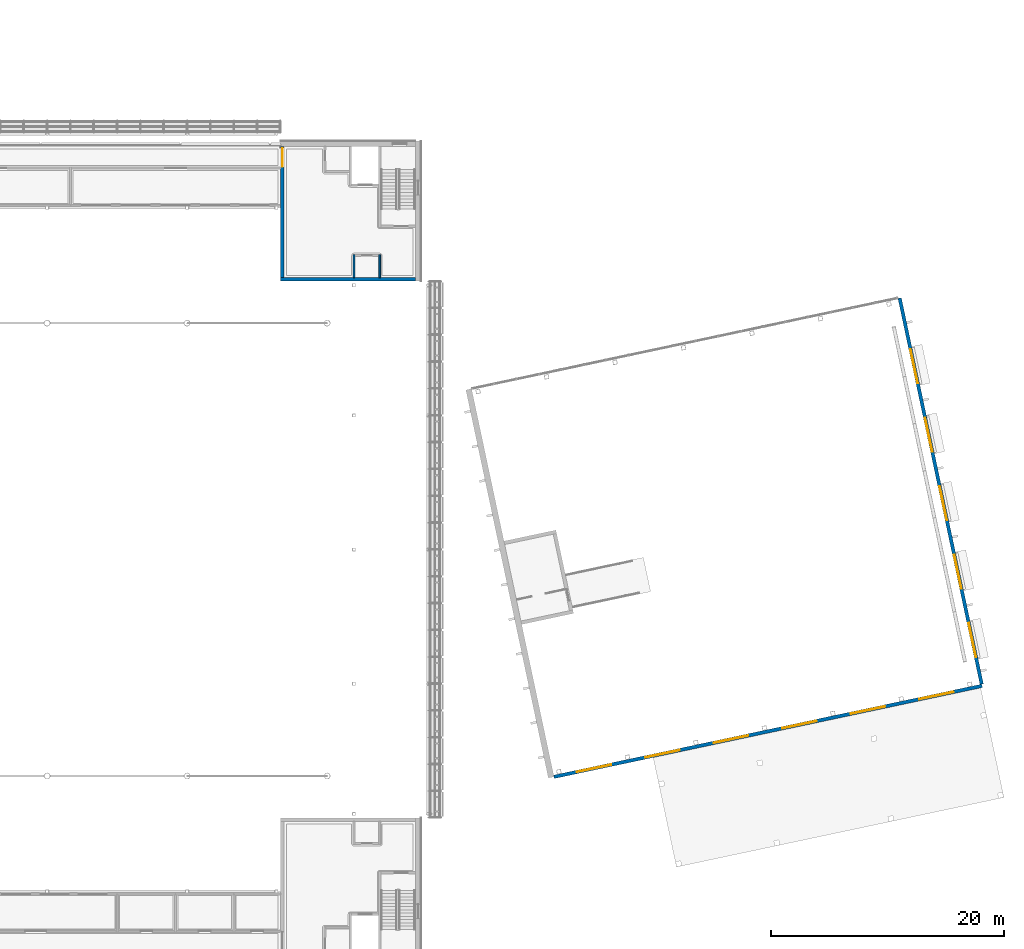
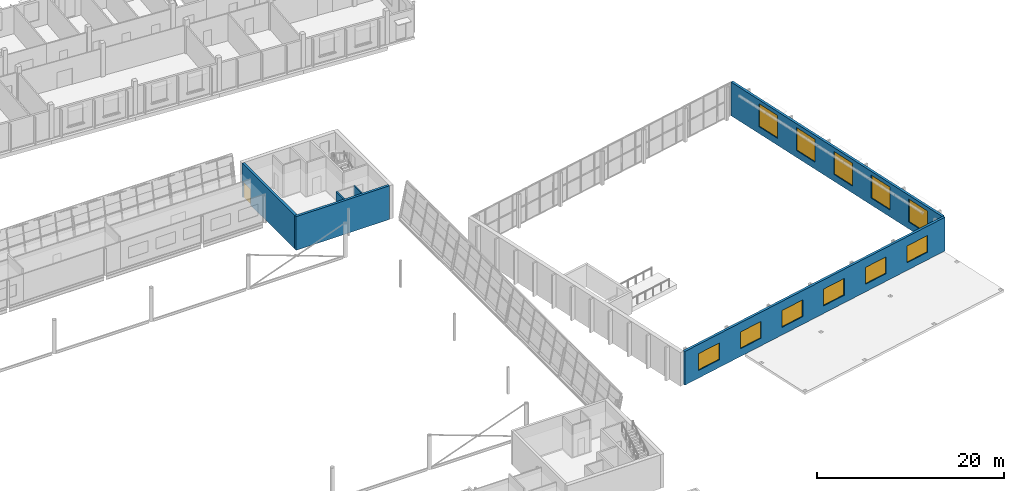
# One storey, part 56 of 95: 11 windows, 6 walls, 1 door, 12 openings.
"""IFC4 building model written with IfcOpenShell, lengths in metres."""

from ifc_helpers import new_model, si_unit, direction, frame, frame_2d, origin, place, context, subcontext, project, spatial, rectangle, extrude, material, layer, layer_set, type_object, element, fill, save


model = new_model("IFC4")

# Units and contexts
model_context = context("Model", 3, precision=1e-05, world=origin(), true_north=direction((0.0, 1.0)))
body_context = subcontext(model_context, "Body", "Model", "MODEL_VIEW")
ifc_project = project(units=[si_unit("LENGTHUNIT", "METRE"), si_unit("AREAUNIT", "SQUARE_METRE"), si_unit("VOLUMEUNIT", "CUBIC_METRE"), si_unit("PLANEANGLEUNIT", "RADIAN"), si_unit("MASSUNIT", "GRAM", prefix="KILO")], contexts=[model_context])

# Site, building, storey
site_placement = place(None, origin())
site = spatial("IfcSite", under=ifc_project, at=site_placement, CompositionType="ELEMENT")
building_placement = place(site_placement, origin())
building = spatial("IfcBuilding", under=site, at=building_placement, Name="Windward Yard Aquatics Centre", CompositionType="ELEMENT")
storey_placement = place(building_placement, frame((0.0, 0.0, 9.39990234375)))
storey = spatial("IfcBuildingStorey", under=building, at=storey_placement, Name="L02", CompositionType="ELEMENT", Elevation=9.39990234375)

# Wall, openings, windows
ifc_material_1 = material(Name="Concrete C35/45", Category="concrete")
ifc_layer_1 = layer(ifc_material_1, 0.300048828125)
ifc_layer_set_1 = layer_set([ifc_layer_1], Name="D diving hall external wall 300")
wall_type_1 = type_object("IfcWallType", Name="D diving hall external wall 300", PredefinedType="SOLIDWALL", material=ifc_layer_set_1)
wall_1_placement = place(storey_placement, frame((163.438720703125, 41.525146484375, 0.0), z_axis=(0.0, 0.0, 1.0), x_axis=(0.978148061555, 0.207909522815, 0.0)))
wall_1 = element("IfcWall", 1, at=wall_1_placement, inside=storey, type_object=wall_type_1, Name="D.W.S.L02", PredefinedType="SOLIDWALL", context=body_context, shape_type="SweptSolid", body=[
    extrude(rectangle(XDim=37.5, YDim=0.300048828125, at=frame_2d((18.75, 0.0))), origin(), (0.0, 0.0, 1.0), 4.400146484375),
])
opening_1_placement = place(wall_1_placement, frame((2.0, 0.0, 1.0)))
opening_1 = element("IfcOpeningElement", 2, at=opening_1_placement, cuts=wall_1, Name="Opening DW2001", PredefinedType="OPENING", context=body_context, shape_type="SweptSolid", body=[
    extrude(rectangle(XDim=3.0, YDim=2.199951171875, at=frame_2d((1.5, 1.10009765625))), frame((0.0, 0.16015625, 0.0), z_axis=(0.0, -1.0, 0.0), x_axis=(1.0, 0.0, 0.0)), (0.0, 0.0, 1.0), 0.320068359375),
])
opening_2_placement = place(wall_1_placement, frame((8.0, 0.0, 1.0)))
opening_2 = element("IfcOpeningElement", 3, at=opening_2_placement, cuts=wall_1, Name="Opening DW2002", PredefinedType="OPENING", context=body_context, shape_type="SweptSolid", body=[
    extrude(rectangle(XDim=3.0, YDim=2.199951171875, at=frame_2d((1.5, 1.10009765625))), frame((0.0, 0.16015625, 0.0), z_axis=(0.0, -1.0, 0.0), x_axis=(1.0, 0.0, 0.0)), (0.0, 0.0, 1.0), 0.320068359375),
])
opening_3_placement = place(wall_1_placement, frame((14.0, 0.0, 1.0)))
opening_3 = element("IfcOpeningElement", 4, at=opening_3_placement, cuts=wall_1, Name="Opening DW2003", PredefinedType="OPENING", context=body_context, shape_type="SweptSolid", body=[
    extrude(rectangle(XDim=3.0, YDim=2.199951171875, at=frame_2d((1.5, 1.10009765625))), frame((0.0, 0.16015625, 0.0), z_axis=(0.0, -1.0, 0.0), x_axis=(1.0, 0.0, 0.0)), (0.0, 0.0, 1.0), 0.320068359375),
])
opening_4_placement = place(wall_1_placement, frame((20.0, 0.0, 1.0)))
opening_4 = element("IfcOpeningElement", 5, at=opening_4_placement, cuts=wall_1, Name="Opening DW2004", PredefinedType="OPENING", context=body_context, shape_type="SweptSolid", body=[
    extrude(rectangle(XDim=3.0, YDim=2.199951171875, at=frame_2d((1.5, 1.10009765625))), frame((0.0, 0.16015625, 0.0), z_axis=(0.0, -1.0, 0.0), x_axis=(1.0, 0.0, 0.0)), (0.0, 0.0, 1.0), 0.320068359375),
])
opening_5_placement = place(wall_1_placement, frame((26.0, 0.0, 1.0)))
opening_5 = element("IfcOpeningElement", 6, at=opening_5_placement, cuts=wall_1, Name="Opening DW2005", PredefinedType="OPENING", context=body_context, shape_type="SweptSolid", body=[
    extrude(rectangle(XDim=3.0, YDim=2.199951171875, at=frame_2d((1.5, 1.10009765625))), frame((0.0, 0.16015625, 0.0), z_axis=(0.0, -1.0, 0.0), x_axis=(1.0, 0.0, 0.0)), (0.0, 0.0, 1.0), 0.320068359375),
])
opening_6_placement = place(wall_1_placement, frame((32.0, 0.0, 1.0)))
opening_6 = element("IfcOpeningElement", 7, at=opening_6_placement, cuts=wall_1, Name="Opening DW2006", PredefinedType="OPENING", context=body_context, shape_type="SweptSolid", body=[
    extrude(rectangle(XDim=3.0, YDim=2.199951171875, at=frame_2d((1.5, 1.10009765625))), frame((0.0, 0.16015625, 0.0), z_axis=(0.0, -1.0, 0.0), x_axis=(1.0, 0.0, 0.0)), (0.0, 0.0, 1.0), 0.320068359375),
])
ifc_material_2 = material(Name="Aluminium framed double glazing", Category="aluminium")
window_type_1 = type_object("IfcWindowType", Name="D clerestory window 3000X2200", PartitioningType="SINGLE_PANEL", PredefinedType="WINDOW", material=ifc_material_2)
window_1_placement = place(opening_1_placement, origin())
window_1 = element("IfcWindow", 8, at=window_1_placement, inside=storey, type_object=window_type_1, Name="Clerestory Window DW2001", OverallHeight=2.199951171875, OverallWidth=3.0, PartitioningType="SINGLE_PANEL", PredefinedType="WINDOW", context=body_context, shape_type="SweptSolid", body=[
    extrude(rectangle(XDim=3.0, YDim=2.199951171875, at=frame_2d((1.5, 1.10009765625))), frame((0.0, 0.030029296875, 0.0), z_axis=(0.0, -1.0, 0.0), x_axis=(1.0, 0.0, 0.0)), (0.0, 0.0, 1.0), 0.06005859375),
])
fill(opening_1, window_1)
window_2_placement = place(opening_2_placement, origin())
window_2 = element("IfcWindow", 9, at=window_2_placement, inside=storey, type_object=window_type_1, Name="Clerestory Window DW2002", OverallHeight=2.199951171875, OverallWidth=3.0, PartitioningType="SINGLE_PANEL", PredefinedType="WINDOW", context=body_context, shape_type="SweptSolid", body=[
    extrude(rectangle(XDim=3.0, YDim=2.199951171875, at=frame_2d((1.5, 1.10009765625))), frame((0.0, 0.030029296875, 0.0), z_axis=(0.0, -1.0, 0.0), x_axis=(1.0, 0.0, 0.0)), (0.0, 0.0, 1.0), 0.06005859375),
])
fill(opening_2, window_2)
window_3_placement = place(opening_3_placement, origin())
window_3 = element("IfcWindow", 10, at=window_3_placement, inside=storey, type_object=window_type_1, Name="Clerestory Window DW2003", OverallHeight=2.199951171875, OverallWidth=3.0, PartitioningType="SINGLE_PANEL", PredefinedType="WINDOW", context=body_context, shape_type="SweptSolid", body=[
    extrude(rectangle(XDim=3.0, YDim=2.199951171875, at=frame_2d((1.5, 1.10009765625))), frame((0.0, 0.030029296875, 0.0), z_axis=(0.0, -1.0, 0.0), x_axis=(1.0, 0.0, 0.0)), (0.0, 0.0, 1.0), 0.06005859375),
])
fill(opening_3, window_3)
window_4_placement = place(opening_4_placement, origin())
window_4 = element("IfcWindow", 11, at=window_4_placement, inside=storey, type_object=window_type_1, Name="Clerestory Window DW2004", OverallHeight=2.199951171875, OverallWidth=3.0, PartitioningType="SINGLE_PANEL", PredefinedType="WINDOW", context=body_context, shape_type="SweptSolid", body=[
    extrude(rectangle(XDim=3.0, YDim=2.199951171875, at=frame_2d((1.5, 1.10009765625))), frame((0.0, 0.030029296875, 0.0), z_axis=(0.0, -1.0, 0.0), x_axis=(1.0, 0.0, 0.0)), (0.0, 0.0, 1.0), 0.06005859375),
])
fill(opening_4, window_4)
window_5_placement = place(opening_5_placement, origin())
window_5 = element("IfcWindow", 12, at=window_5_placement, inside=storey, type_object=window_type_1, Name="Clerestory Window DW2005", OverallHeight=2.199951171875, OverallWidth=3.0, PartitioningType="SINGLE_PANEL", PredefinedType="WINDOW", context=body_context, shape_type="SweptSolid", body=[
    extrude(rectangle(XDim=3.0, YDim=2.199951171875, at=frame_2d((1.5, 1.10009765625))), frame((0.0, 0.030029296875, 0.0), z_axis=(0.0, -1.0, 0.0), x_axis=(1.0, 0.0, 0.0)), (0.0, 0.0, 1.0), 0.06005859375),
])
fill(opening_5, window_5)
window_6_placement = place(opening_6_placement, origin())
window_6 = element("IfcWindow", 13, at=window_6_placement, inside=storey, type_object=window_type_1, Name="Clerestory Window DW2006", OverallHeight=2.199951171875, OverallWidth=3.0, PartitioningType="SINGLE_PANEL", PredefinedType="WINDOW", context=body_context, shape_type="SweptSolid", body=[
    extrude(rectangle(XDim=3.0, YDim=2.199951171875, at=frame_2d((1.5, 1.10009765625))), frame((0.0, 0.030029296875, 0.0), z_axis=(0.0, -1.0, 0.0), x_axis=(1.0, 0.0, 0.0)), (0.0, 0.0, 1.0), 0.06005859375),
])
fill(opening_6, window_6)

wall_2_placement = place(storey_placement, frame((200.088134765625, 49.468505859375, 0.0), z_axis=(0.0, 0.0, 1.0), x_axis=(-0.207915737435, 0.97814674059, 0.0)))
wall_2 = element("IfcWall", 14, at=wall_2_placement, inside=storey, type_object=wall_type_1, Name="D.W.E.L02", PredefinedType="SOLIDWALL", context=body_context, shape_type="SweptSolid", body=[
    extrude(rectangle(XDim=33.820068359375, YDim=0.300048828125, at=frame_2d((16.91015625, 0.0))), origin(), (0.0, 0.0, 1.0), 4.400146484375),
])
opening_7_placement = place(wall_2_placement, frame((2.35009765625, 0.0, 0.89990234375)))
opening_7 = element("IfcOpeningElement", 15, at=opening_7_placement, cuts=wall_2, Name="Opening DW2007", PredefinedType="OPENING", context=body_context, shape_type="SweptSolid", body=[
    extrude(rectangle(XDim=3.0, YDim=3.0, at=frame_2d((1.5, 1.5))), frame((0.0, 0.16015625, 0.0), z_axis=(0.0, -1.0, 0.0), x_axis=(1.0, 0.0, 0.0)), (0.0, 0.0, 1.0), 0.320068359375),
])
opening_8_placement = place(wall_2_placement, frame((8.35009765625, 0.0, 0.89990234375)))
opening_8 = element("IfcOpeningElement", 16, at=opening_8_placement, cuts=wall_2, Name="Opening DW2008", PredefinedType="OPENING", context=body_context, shape_type="SweptSolid", body=[
    extrude(rectangle(XDim=3.0, YDim=3.0, at=frame_2d((1.5, 1.5))), frame((0.0, 0.16015625, 0.0), z_axis=(0.0, -1.0, 0.0), x_axis=(1.0, 0.0, 0.0)), (0.0, 0.0, 1.0), 0.320068359375),
])
opening_9_placement = place(wall_2_placement, frame((14.35009765625, 0.0, 0.89990234375)))
opening_9 = element("IfcOpeningElement", 17, at=opening_9_placement, cuts=wall_2, Name="Opening DW2009", PredefinedType="OPENING", context=body_context, shape_type="SweptSolid", body=[
    extrude(rectangle(XDim=3.0, YDim=3.0, at=frame_2d((1.5, 1.5))), frame((0.0, 0.16015625, 0.0), z_axis=(0.0, -1.0, 0.0), x_axis=(1.0, 0.0, 0.0)), (0.0, 0.0, 1.0), 0.320068359375),
])
opening_10_placement = place(wall_2_placement, frame((20.35009765625, 0.0, 0.89990234375)))
opening_10 = element("IfcOpeningElement", 18, at=opening_10_placement, cuts=wall_2, Name="Opening DW2010", PredefinedType="OPENING", context=body_context, shape_type="SweptSolid", body=[
    extrude(rectangle(XDim=3.0, YDim=3.0, at=frame_2d((1.5, 1.5))), frame((0.0, 0.16015625, 0.0), z_axis=(0.0, -1.0, 0.0), x_axis=(1.0, 0.0, 0.0)), (0.0, 0.0, 1.0), 0.320068359375),
])
opening_11_placement = place(wall_2_placement, frame((26.35009765625, 0.0, 0.89990234375)))
opening_11 = element("IfcOpeningElement", 19, at=opening_11_placement, cuts=wall_2, Name="Opening DW2011", PredefinedType="OPENING", context=body_context, shape_type="SweptSolid", body=[
    extrude(rectangle(XDim=3.0, YDim=3.0, at=frame_2d((1.5, 1.5))), frame((0.0, 0.16015625, 0.0), z_axis=(0.0, -1.0, 0.0), x_axis=(1.0, 0.0, 0.0)), (0.0, 0.0, 1.0), 0.320068359375),
])
window_type_2 = type_object("IfcWindowType", Name="D clerestory window 3000X3000", PartitioningType="SINGLE_PANEL", PredefinedType="WINDOW", material=ifc_material_2)
window_7_placement = place(opening_7_placement, origin())
window_7 = element("IfcWindow", 20, at=window_7_placement, inside=storey, type_object=window_type_2, Name="Clerestory Window DW2007", OverallHeight=3.0, OverallWidth=3.0, PartitioningType="SINGLE_PANEL", PredefinedType="WINDOW", context=body_context, shape_type="SweptSolid", body=[
    extrude(rectangle(XDim=3.0, YDim=3.0, at=frame_2d((1.5, 1.5))), frame((0.0, 0.030029296875, 0.0), z_axis=(0.0, -1.0, 0.0), x_axis=(1.0, 0.0, 0.0)), (0.0, 0.0, 1.0), 0.06005859375),
])
fill(opening_7, window_7)
window_8_placement = place(opening_8_placement, origin())
window_8 = element("IfcWindow", 21, at=window_8_placement, inside=storey, type_object=window_type_2, Name="Clerestory Window DW2008", OverallHeight=3.0, OverallWidth=3.0, PartitioningType="SINGLE_PANEL", PredefinedType="WINDOW", context=body_context, shape_type="SweptSolid", body=[
    extrude(rectangle(XDim=3.0, YDim=3.0, at=frame_2d((1.5, 1.5))), frame((0.0, 0.030029296875, 0.0), z_axis=(0.0, -1.0, 0.0), x_axis=(1.0, 0.0, 0.0)), (0.0, 0.0, 1.0), 0.06005859375),
])
fill(opening_8, window_8)
window_9_placement = place(opening_9_placement, origin())
window_9 = element("IfcWindow", 22, at=window_9_placement, inside=storey, type_object=window_type_2, Name="Clerestory Window DW2009", OverallHeight=3.0, OverallWidth=3.0, PartitioningType="SINGLE_PANEL", PredefinedType="WINDOW", context=body_context, shape_type="SweptSolid", body=[
    extrude(rectangle(XDim=3.0, YDim=3.0, at=frame_2d((1.5, 1.5))), frame((0.0, 0.030029296875, 0.0), z_axis=(0.0, -1.0, 0.0), x_axis=(1.0, 0.0, 0.0)), (0.0, 0.0, 1.0), 0.06005859375),
])
fill(opening_9, window_9)
window_10_placement = place(opening_10_placement, origin())
window_10 = element("IfcWindow", 23, at=window_10_placement, inside=storey, type_object=window_type_2, Name="Clerestory Window DW2010", OverallHeight=3.0, OverallWidth=3.0, PartitioningType="SINGLE_PANEL", PredefinedType="WINDOW", context=body_context, shape_type="SweptSolid", body=[
    extrude(rectangle(XDim=3.0, YDim=3.0, at=frame_2d((1.5, 1.5))), frame((0.0, 0.030029296875, 0.0), z_axis=(0.0, -1.0, 0.0), x_axis=(1.0, 0.0, 0.0)), (0.0, 0.0, 1.0), 0.06005859375),
])
fill(opening_10, window_10)
window_11_placement = place(opening_11_placement, origin())
window_11 = element("IfcWindow", 24, at=window_11_placement, inside=storey, type_object=window_type_2, Name="Clerestory Window DW2011", OverallHeight=3.0, OverallWidth=3.0, PartitioningType="SINGLE_PANEL", PredefinedType="WINDOW", context=body_context, shape_type="SweptSolid", body=[
    extrude(rectangle(XDim=3.0, YDim=3.0, at=frame_2d((1.5, 1.5))), frame((0.0, 0.030029296875, 0.0), z_axis=(0.0, -1.0, 0.0), x_axis=(1.0, 0.0, 0.0)), (0.0, 0.0, 1.0), 0.06005859375),
])
fill(opening_11, window_11)

# Walls
ifc_material_3 = material(Name="Blockwork 150 mm", Category="masonry")
ifc_layer_2 = layer(ifc_material_3, 0.14990234375)
ifc_layer_set_2 = layer_set([ifc_layer_2], Name="H Partition Blockwork 150")
wall_type_2 = type_object("IfcWallType", Name="H Partition Blockwork 150", PredefinedType="PARTITIONING", material=ifc_layer_set_2)
for number, where, z_axis, x_axis, name in (
    (25, (148.5, 86.27490234375, 0.0), (0.0, 0.0, 1.0), (0.0, -1.0, 0.0), "L02 R2W riser wall NE"),
    (26, (146.300048828125, 86.27490234375, 0.0), (0.0, 0.0, 1.0), (0.0, -1.0, 0.0), "L02 R2E riser wall NE"),
):
    element("IfcWall", number, at=place(storey_placement, frame(where, z_axis=z_axis, x_axis=x_axis)), inside=storey, type_object=wall_type_2, Name=name, PredefinedType="PARTITIONING", context=body_context, shape_type="SweptSolid", body=[
        extrude(rectangle(XDim=1.974853515625, YDim=0.14990234375, at=frame_2d((0.9873046875, 0.0))), origin(), (0.0, 0.0, 1.0), 4.150146484375),
    ])

# Wall, opening, door
ifc_layer_3 = layer(ifc_material_1, 0.300048828125)
ifc_layer_set_3 = layer_set([ifc_layer_3], Name="H rear wall 300 C35/45")
wall_type_3 = type_object("IfcWallType", Name="H rear wall 300 C35/45", PredefinedType="SOLIDWALL", material=ifc_layer_set_3)
wall_3_placement = place(storey_placement, frame((140.14990234375, 95.550048828125, 0.0), z_axis=(0.0, 0.0, 1.0), x_axis=(0.0, -1.0, 0.0)))
wall_3 = element("IfcWall", 27, at=wall_3_placement, inside=storey, type_object=wall_type_3, Name="H.CW.NE.W.L02", PredefinedType="SOLIDWALL", context=body_context, shape_type="SweptSolid", body=[
    extrude(rectangle(XDim=11.25, YDim=0.300048828125, at=frame_2d((5.625, 0.0))), origin(), (0.0, 0.0, 1.0), 4.400146484375),
])
opening_12_placement = place(wall_3_placement, frame((0.14990234375, 0.0, 0.0)))
opening_12 = element("IfcOpeningElement", 28, at=opening_12_placement, cuts=wall_3, Name="Opening H2020", PredefinedType="OPENING", context=body_context, shape_type="SweptSolid", body=[
    extrude(rectangle(XDim=1.60009765625, YDim=2.10009765625, at=frame_2d((0.800048828125, 1.050048828125))), frame((0.0, 0.16015625, 0.0), z_axis=(0.0, -1.0, 0.0), x_axis=(1.0, 0.0, 0.0)), (0.0, 0.0, 1.0), 0.320068359375),
])
ifc_material_4 = material(Name="Steel and timber door leaf", Category="steel")
door_type = type_object("IfcDoorType", Name="H Door Double 1600 x 2100 FD60", OperationType="DOUBLE_DOOR_SINGLE_SWING", PredefinedType="DOOR", material=ifc_material_4)
door_placement = place(opening_12_placement, origin())
door = element("IfcDoor", 29, at=door_placement, inside=storey, type_object=door_type, Name="L02 core NE door to strip", OperationType="DOUBLE_DOOR_SINGLE_SWING", OverallHeight=2.10009765625, OverallWidth=1.60009765625, PredefinedType="DOOR", context=body_context, shape_type="SweptSolid", body=[
    extrude(rectangle(XDim=1.60009765625, YDim=2.10009765625, at=frame_2d((0.800048828125, 1.050048828125))), frame((0.0, 0.02490234375, 0.0), z_axis=(0.0, -1.0, 0.0), x_axis=(1.0, 0.0, 0.0)), (0.0, 0.0, 1.0), 0.050048828125),
])
fill(opening_12, door)

# Wall
wall_4_placement = place(storey_placement, frame((151.550048828125, 84.14990234375, 0.0), z_axis=(0.0, 0.0, 1.0), x_axis=(-1.0, 0.0, 0.0)))
element("IfcWall", 30, at=wall_4_placement, inside=storey, type_object=wall_type_3, Name="H.CW.NE.S.L02", PredefinedType="SOLIDWALL", context=body_context, shape_type="SweptSolid", body=[
    extrude(rectangle(XDim=11.550048828125, YDim=0.300048828125, at=frame_2d((5.77490234375, 0.0))), origin(), (0.0, 0.0, 1.0), 4.400146484375),
])

save(model, "model.ifc")
